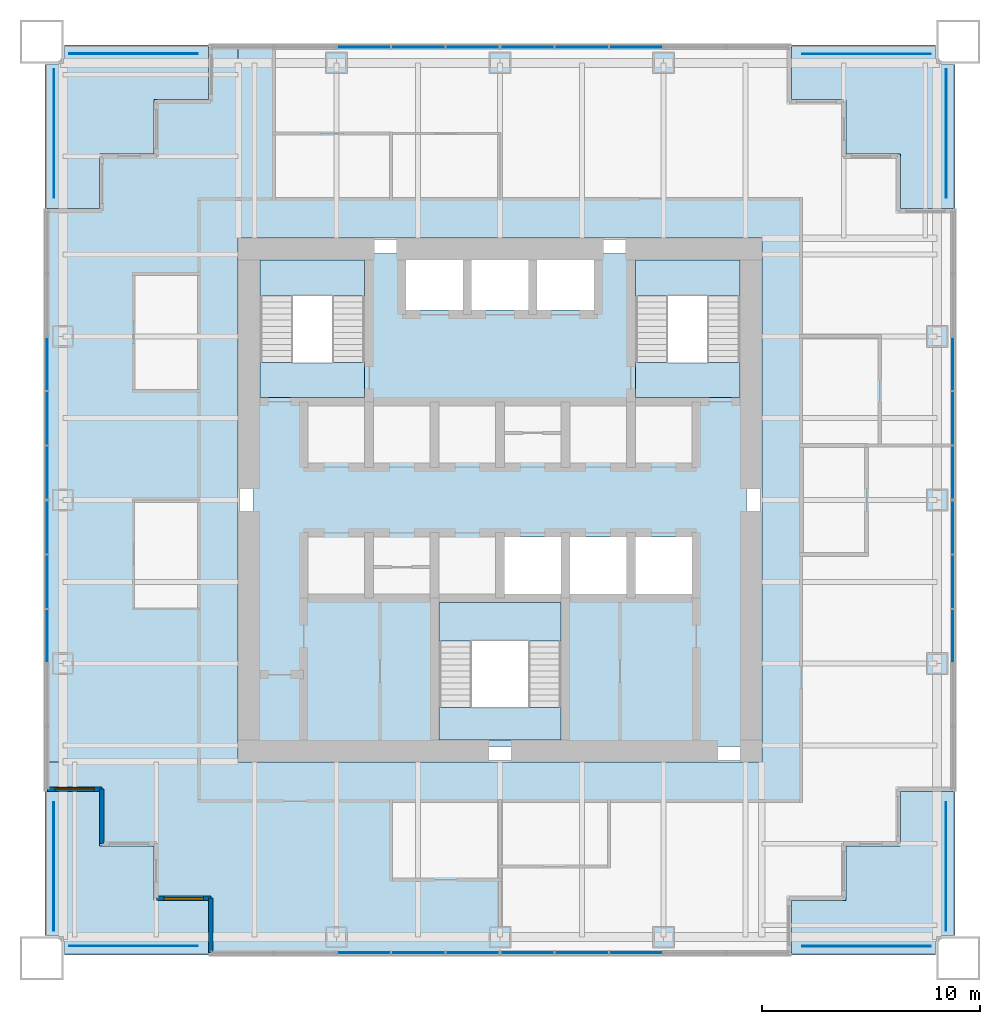
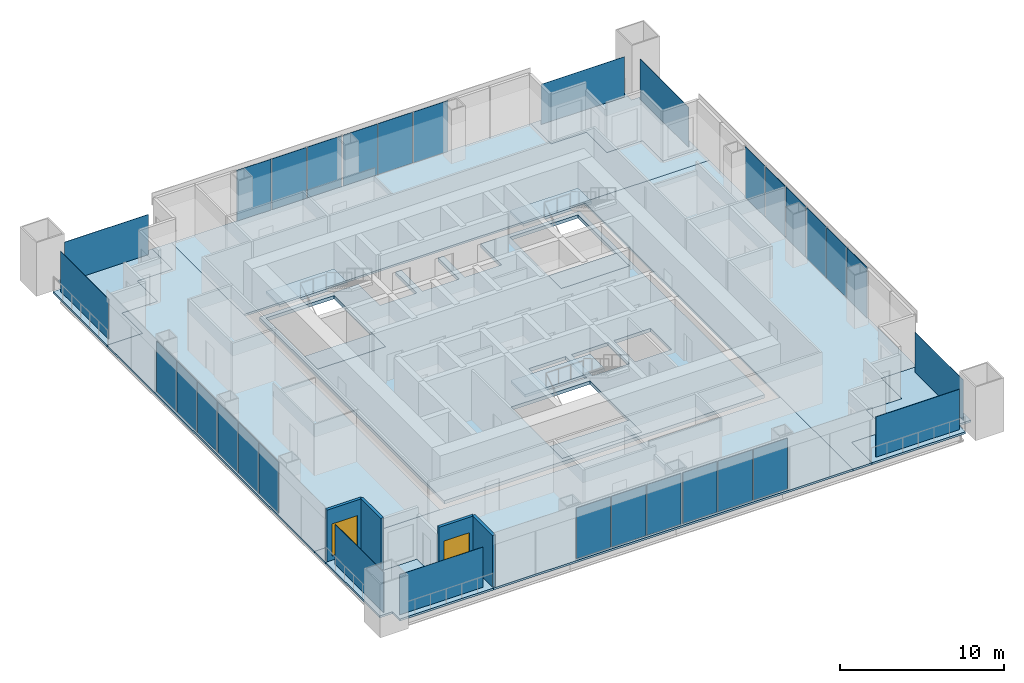
# One storey, part 8 of 14: 32 plates, 15 slabs, 4 walls, 2 windows, 2 openings, 11 elements without a shape of their own.
"""IFC4 building model written with IfcOpenShell, lengths in metres."""

from ifc_helpers import new_model, si_unit, direction, frame, frame_2d, origin, origin_2d, place, context, subcontext, project, spatial, polyline, rectangle, outline, extrude, material, layer, layer_set, type_object, element, fill, aggregate, save


model = new_model("IFC4")

# Units and contexts
model_context = context("Model", 3, precision=1e-05, world=origin(), true_north=direction((0.0, 1.0)))
body_context = subcontext(model_context, "Body", "Model", "MODEL_VIEW")
ifc_project = project(units=[si_unit("LENGTHUNIT", "METRE"), si_unit("AREAUNIT", "SQUARE_METRE"), si_unit("VOLUMEUNIT", "CUBIC_METRE"), si_unit("PLANEANGLEUNIT", "RADIAN"), si_unit("MASSUNIT", "GRAM", prefix="KILO")], contexts=[model_context])

# Site, building, storey
site_placement = place(None, origin())
site = spatial("IfcSite", under=ifc_project, at=site_placement, CompositionType="ELEMENT")
building_placement = place(site_placement, origin())
building = spatial("IfcBuilding", under=site, at=building_placement, Name="Tarangal Relay Tower", CompositionType="ELEMENT")
storey_placement = place(building_placement, frame((0.0, 0.0, 267.89990234375)))
storey = spatial("IfcBuildingStorey", under=building, at=storey_placement, Name="L58", CompositionType="ELEMENT", Elevation=267.89990234375)

# Slabs
ifc_material_1 = material(Name="Concrete fc' 35 MPa", Category="concrete")
ifc_layer_1 = layer(ifc_material_1, 0.25)
ifc_layer_set_1 = layer_set([ifc_layer_1], Name="Core floor slab 250")
slab_type_1 = type_object("IfcSlabType", Name="Core floor slab 250", PredefinedType="FLOOR", material=ifc_layer_set_1)
slab_1_placement = place(storey_placement, frame((0.0, 0.0, -0.25)))
element("IfcSlab", 1, at=slab_1_placement, inside=storey, type_object=slab_type_1, Name="Core floor slab L58", PredefinedType="FLOOR", context=body_context, shape_type="SweptSolid", body=[
    extrude(outline(polyline([(11.300048828125, 11.300048828125), (11.300048828125, -11.300048828125), (-11.300048828125, -11.300048828125), (-11.300048828125, 11.300048828125), (-4.300048828125, 11.300048828125), (-4.300048828125, 8.699951171875), (-1.699951171875, 8.699951171875), (-1.699951171875, 11.300048828125), (-1.300048828125, 11.300048828125), (-1.300048828125, 8.699951171875), (1.300048828125, 8.699951171875), (1.300048828125, 11.300048828125), (1.699951171875, 11.300048828125), (1.699951171875, 8.699951171875), (4.300048828125, 8.699951171875), (4.300048828125, 11.300048828125), (11.300048828125, 11.300048828125)]), holes=[polyline([(2.800048828125, -4.699951171875), (-2.800048828125, -4.699951171875), (-2.800048828125, -11.0), (2.800048828125, -11.0), (2.800048828125, -4.699951171875)]), polyline([(2.800048828125, -1.699951171875), (0.199951171875, -1.699951171875), (0.199951171875, -4.300048828125), (2.800048828125, -4.300048828125), (2.800048828125, -1.699951171875)]), polyline([(5.800048828125, -1.699951171875), (3.199951171875, -1.699951171875), (3.199951171875, -4.300048828125), (5.800048828125, -4.300048828125), (5.800048828125, -1.699951171875)]), polyline([(8.800048828125, -1.699951171875), (6.199951171875, -1.699951171875), (6.199951171875, -4.300048828125), (8.800048828125, -4.300048828125), (8.800048828125, -1.699951171875)]), polyline([(-6.199951171875, 11.0), (-11.0, 11.0), (-11.0, 4.699951171875), (-6.199951171875, 4.699951171875), (-6.199951171875, 11.0)]), polyline([(11.0, 11.0), (6.199951171875, 11.0), (6.199951171875, 4.699951171875), (11.0, 4.699951171875), (11.0, 11.0)])]), origin(), (0.0, 0.0, 1.0), 0.25),
])
ifc_layer_2 = layer(ifc_material_1, 0.14990234375)
ifc_layer_set_2 = layer_set([ifc_layer_2], Name="Floor slab 150")
slab_type_2 = type_object("IfcSlabType", Name="Floor slab 150", PredefinedType="FLOOR", material=ifc_layer_set_2)
slab_2_placement = place(storey_placement, frame((0.0, 0.0, -0.14990234375)))
element("IfcSlab", 2, at=slab_2_placement, inside=storey, type_object=slab_type_2, Name="Floor slab FS3 L58 north bay", PredefinedType="FLOOR", context=body_context, shape_type="SweptSolid", body=[
    extrude(outline(polyline([(13.35009765625, 20.85009765625), (13.35009765625, 18.35009765625), (15.85009765625, 18.35009765625), (15.85009765625, 15.85009765625), (18.35009765625, 15.85009765625), (18.35009765625, 13.35009765625), (20.85009765625, 13.35009765625), (20.85009765625, 12.0), (-12.0, 12.0), (-12.0, 20.85009765625), (13.35009765625, 20.85009765625)])), origin(), (0.0, 0.0, 1.0), 0.14990234375),
])
slab_3_placement = place(storey_placement, frame((0.0, 0.0, -0.14990234375)))
element("IfcSlab", 3, at=slab_3_placement, inside=storey, type_object=slab_type_2, Name="Floor slab FS3 L58 east bay", PredefinedType="FLOOR", context=body_context, shape_type="SweptSolid", body=[
    extrude(outline(polyline([(20.85009765625, -13.35009765625), (18.35009765625, -13.35009765625), (18.35009765625, -15.85009765625), (15.85009765625, -15.85009765625), (15.85009765625, -18.35009765625), (13.35009765625, -18.35009765625), (13.35009765625, -20.85009765625), (12.0, -20.85009765625), (12.0, 12.0), (20.85009765625, 12.0), (20.85009765625, -13.35009765625)])), origin(), (0.0, 0.0, 1.0), 0.14990234375),
])
slab_4_placement = place(storey_placement, frame((0.0, 0.0, -0.14990234375)))
element("IfcSlab", 4, at=slab_4_placement, inside=storey, type_object=slab_type_2, Name="Floor slab FS3 L58 south bay", PredefinedType="FLOOR", context=body_context, shape_type="SweptSolid", body=[
    extrude(outline(polyline([(-13.35009765625, -20.85009765625), (-13.35009765625, -18.35009765625), (-15.85009765625, -18.35009765625), (-15.85009765625, -15.85009765625), (-18.35009765625, -15.85009765625), (-18.35009765625, -13.35009765625), (-20.85009765625, -13.35009765625), (-20.85009765625, -12.0), (12.0, -12.0), (12.0, -20.85009765625), (-13.35009765625, -20.85009765625)])), origin(), (0.0, 0.0, 1.0), 0.14990234375),
])
slab_5_placement = place(storey_placement, frame((0.0, 0.0, -0.14990234375)))
element("IfcSlab", 5, at=slab_5_placement, inside=storey, type_object=slab_type_2, Name="Floor slab FS3 L58 west bay", PredefinedType="FLOOR", context=body_context, shape_type="SweptSolid", body=[
    extrude(outline(polyline([(-12.0, 20.85009765625), (-12.0, -12.0), (-20.85009765625, -12.0), (-20.85009765625, 13.35009765625), (-18.35009765625, 13.35009765625), (-18.35009765625, 15.85009765625), (-15.85009765625, 15.85009765625), (-15.85009765625, 18.35009765625), (-13.35009765625, 18.35009765625), (-13.35009765625, 20.85009765625), (-12.0, 20.85009765625)])), origin(), (0.0, 0.0, 1.0), 0.14990234375),
])

# Curtain wall, plates
ifc_material_2 = material(Name="Unitised curtain wall, dark glass and black aluminium", Category="aluminium")
curtain_wall_type = type_object("IfcCurtainWallType", Name="Curtain wall CW-B", PredefinedType="USERDEFINED", material=ifc_material_2)
curtain_wall_1_placement = place(storey_placement, origin())
curtain_wall_1 = element("IfcCurtainWall", 6, at=curtain_wall_1_placement, inside=storey, type_object=curtain_wall_type, Name="Curtain wall CW-B N facade L58", ObjectType="UNITISED CURTAIN WALL", PredefinedType="USERDEFINED")
ifc_material_3 = material(Name="Dark tinted insulated glass unit", Category="glass")
ifc_layer_3 = layer(ifc_material_3, 0.030029296875)
ifc_layer_set_3 = layer_set([ifc_layer_3], Name="Glazed panel CW-B 30")
plate_type_1 = type_object("IfcPlateType", Name="Glazed panel CW-B 30", PredefinedType="CURTAIN_PANEL", material=ifc_layer_set_3)
plate_1_placement = place(storey_placement, frame((-6.235107421875, 20.75, 0.06005859375), z_axis=(0.0, 0.0, 1.0), x_axis=(1.0, 0.0, 0.0)))
plate_1 = element("IfcPlate", 7, at=plate_1_placement, type_object=plate_type_1, Name="CW-B panel 1.1", PredefinedType="CURTAIN_PANEL", context=body_context, shape_type="SweptSolid", body=[
    extrude(rectangle(XDim=2.409912109375, YDim=0.030029296875, at=origin_2d()), origin(), (0.0, 0.0, 1.0), 3.7900390625),
])
plate_2_placement = place(storey_placement, frame((-3.75, 20.75, 0.06005859375), z_axis=(0.0, 0.0, 1.0), x_axis=(1.0, 0.0, 0.0)))
plate_2 = element("IfcPlate", 8, at=plate_2_placement, type_object=plate_type_1, Name="CW-B panel 2.1", PredefinedType="CURTAIN_PANEL", context=body_context, shape_type="SweptSolid", body=[
    extrude(rectangle(XDim=2.43994140625, YDim=0.030029296875, at=origin_2d()), origin(), (0.0, 0.0, 1.0), 3.7900390625),
])
plate_3_placement = place(storey_placement, frame((-1.264892578125, 20.75, 0.06005859375), z_axis=(0.0, 0.0, 1.0), x_axis=(1.0, 0.0, 0.0)))
plate_3 = element("IfcPlate", 9, at=plate_3_placement, type_object=plate_type_1, Name="CW-B panel 3.1", PredefinedType="CURTAIN_PANEL", context=body_context, shape_type="SweptSolid", body=[
    extrude(rectangle(XDim=2.409912109375, YDim=0.030029296875, at=origin_2d()), origin(), (0.0, 0.0, 1.0), 3.7900390625),
])
aggregate(curtain_wall_1, [plate_1, plate_2, plate_3])

curtain_wall_2_placement = place(storey_placement, origin())
curtain_wall_2 = element("IfcCurtainWall", 10, at=curtain_wall_2_placement, inside=storey, type_object=curtain_wall_type, Name="Curtain wall CW-B N facade L58", ObjectType="UNITISED CURTAIN WALL", PredefinedType="USERDEFINED")
plate_4_placement = place(storey_placement, frame((1.264892578125, 20.75, 0.06005859375), z_axis=(0.0, 0.0, 1.0), x_axis=(1.0, 0.0, 0.0)))
plate_4 = element("IfcPlate", 11, at=plate_4_placement, type_object=plate_type_1, Name="CW-B panel 1.1", PredefinedType="CURTAIN_PANEL", context=body_context, shape_type="SweptSolid", body=[
    extrude(rectangle(XDim=2.409912109375, YDim=0.030029296875, at=origin_2d()), origin(), (0.0, 0.0, 1.0), 3.7900390625),
])
plate_5_placement = place(storey_placement, frame((3.75, 20.75, 0.06005859375), z_axis=(0.0, 0.0, 1.0), x_axis=(1.0, 0.0, 0.0)))
plate_5 = element("IfcPlate", 12, at=plate_5_placement, type_object=plate_type_1, Name="CW-B panel 2.1", PredefinedType="CURTAIN_PANEL", context=body_context, shape_type="SweptSolid", body=[
    extrude(rectangle(XDim=2.43994140625, YDim=0.030029296875, at=origin_2d()), origin(), (0.0, 0.0, 1.0), 3.7900390625),
])
plate_6_placement = place(storey_placement, frame((6.235107421875, 20.75, 0.06005859375), z_axis=(0.0, 0.0, 1.0), x_axis=(1.0, 0.0, 0.0)))
plate_6 = element("IfcPlate", 13, at=plate_6_placement, type_object=plate_type_1, Name="CW-B panel 3.1", PredefinedType="CURTAIN_PANEL", context=body_context, shape_type="SweptSolid", body=[
    extrude(rectangle(XDim=2.409912109375, YDim=0.030029296875, at=origin_2d()), origin(), (0.0, 0.0, 1.0), 3.7900390625),
])
aggregate(curtain_wall_2, [plate_4, plate_5, plate_6])

curtain_wall_3_placement = place(storey_placement, origin())
curtain_wall_3 = element("IfcCurtainWall", 14, at=curtain_wall_3_placement, inside=storey, type_object=curtain_wall_type, Name="Curtain wall CW-B E facade L58", ObjectType="UNITISED CURTAIN WALL", PredefinedType="USERDEFINED")
plate_7_placement = place(storey_placement, frame((20.75, 6.235107421875, 0.06005859375), z_axis=(0.0, 0.0, 1.0), x_axis=(0.0, -1.0, 0.0)))
plate_7 = element("IfcPlate", 15, at=plate_7_placement, type_object=plate_type_1, Name="CW-B panel 1.1", PredefinedType="CURTAIN_PANEL", context=body_context, shape_type="SweptSolid", body=[
    extrude(rectangle(XDim=2.409912109375, YDim=0.030029296875, at=origin_2d()), origin(), (0.0, 0.0, 1.0), 3.7900390625),
])
plate_8_placement = place(storey_placement, frame((20.75, 3.75, 0.06005859375), z_axis=(0.0, 0.0, 1.0), x_axis=(0.0, -1.0, 0.0)))
plate_8 = element("IfcPlate", 16, at=plate_8_placement, type_object=plate_type_1, Name="CW-B panel 2.1", PredefinedType="CURTAIN_PANEL", context=body_context, shape_type="SweptSolid", body=[
    extrude(rectangle(XDim=2.43994140625, YDim=0.030029296875, at=origin_2d()), origin(), (0.0, 0.0, 1.0), 3.7900390625),
])
plate_9_placement = place(storey_placement, frame((20.75, 1.264892578125, 0.06005859375), z_axis=(0.0, 0.0, 1.0), x_axis=(0.0, -1.0, 0.0)))
plate_9 = element("IfcPlate", 17, at=plate_9_placement, type_object=plate_type_1, Name="CW-B panel 3.1", PredefinedType="CURTAIN_PANEL", context=body_context, shape_type="SweptSolid", body=[
    extrude(rectangle(XDim=2.409912109375, YDim=0.030029296875, at=origin_2d()), origin(), (0.0, 0.0, 1.0), 3.7900390625),
])
aggregate(curtain_wall_3, [plate_7, plate_8, plate_9])

curtain_wall_4_placement = place(storey_placement, origin())
curtain_wall_4 = element("IfcCurtainWall", 18, at=curtain_wall_4_placement, inside=storey, type_object=curtain_wall_type, Name="Curtain wall CW-B E facade L58", ObjectType="UNITISED CURTAIN WALL", PredefinedType="USERDEFINED")
plate_10_placement = place(storey_placement, frame((20.75, -1.264892578125, 0.06005859375), z_axis=(0.0, 0.0, 1.0), x_axis=(0.0, -1.0, 0.0)))
plate_10 = element("IfcPlate", 19, at=plate_10_placement, type_object=plate_type_1, Name="CW-B panel 1.1", PredefinedType="CURTAIN_PANEL", context=body_context, shape_type="SweptSolid", body=[
    extrude(rectangle(XDim=2.409912109375, YDim=0.030029296875, at=origin_2d()), origin(), (0.0, 0.0, 1.0), 3.7900390625),
])
plate_11_placement = place(storey_placement, frame((20.75, -3.75, 0.06005859375), z_axis=(0.0, 0.0, 1.0), x_axis=(0.0, -1.0, 0.0)))
plate_11 = element("IfcPlate", 20, at=plate_11_placement, type_object=plate_type_1, Name="CW-B panel 2.1", PredefinedType="CURTAIN_PANEL", context=body_context, shape_type="SweptSolid", body=[
    extrude(rectangle(XDim=2.43994140625, YDim=0.030029296875, at=origin_2d()), origin(), (0.0, 0.0, 1.0), 3.7900390625),
])
plate_12_placement = place(storey_placement, frame((20.75, -6.235107421875, 0.06005859375), z_axis=(0.0, 0.0, 1.0), x_axis=(0.0, -1.0, 0.0)))
plate_12 = element("IfcPlate", 21, at=plate_12_placement, type_object=plate_type_1, Name="CW-B panel 3.1", PredefinedType="CURTAIN_PANEL", context=body_context, shape_type="SweptSolid", body=[
    extrude(rectangle(XDim=2.409912109375, YDim=0.030029296875, at=origin_2d()), origin(), (0.0, 0.0, 1.0), 3.7900390625),
])
aggregate(curtain_wall_4, [plate_10, plate_11, plate_12])

curtain_wall_5_placement = place(storey_placement, origin())
curtain_wall_5 = element("IfcCurtainWall", 22, at=curtain_wall_5_placement, inside=storey, type_object=curtain_wall_type, Name="Curtain wall CW-B S facade L58", ObjectType="UNITISED CURTAIN WALL", PredefinedType="USERDEFINED")
plate_13_placement = place(storey_placement, frame((6.235107421875, -20.75, 0.06005859375), z_axis=(0.0, 0.0, 1.0), x_axis=(-1.0, 0.0, 0.0)))
plate_13 = element("IfcPlate", 23, at=plate_13_placement, type_object=plate_type_1, Name="CW-B panel 1.1", PredefinedType="CURTAIN_PANEL", context=body_context, shape_type="SweptSolid", body=[
    extrude(rectangle(XDim=2.409912109375, YDim=0.030029296875, at=origin_2d()), origin(), (0.0, 0.0, 1.0), 3.7900390625),
])
plate_14_placement = place(storey_placement, frame((3.75, -20.75, 0.06005859375), z_axis=(0.0, 0.0, 1.0), x_axis=(-1.0, 0.0, 0.0)))
plate_14 = element("IfcPlate", 24, at=plate_14_placement, type_object=plate_type_1, Name="CW-B panel 2.1", PredefinedType="CURTAIN_PANEL", context=body_context, shape_type="SweptSolid", body=[
    extrude(rectangle(XDim=2.43994140625, YDim=0.030029296875, at=origin_2d()), origin(), (0.0, 0.0, 1.0), 3.7900390625),
])
plate_15_placement = place(storey_placement, frame((1.264892578125, -20.75, 0.06005859375), z_axis=(0.0, 0.0, 1.0), x_axis=(-1.0, 0.0, 0.0)))
plate_15 = element("IfcPlate", 25, at=plate_15_placement, type_object=plate_type_1, Name="CW-B panel 3.1", PredefinedType="CURTAIN_PANEL", context=body_context, shape_type="SweptSolid", body=[
    extrude(rectangle(XDim=2.409912109375, YDim=0.030029296875, at=origin_2d()), origin(), (0.0, 0.0, 1.0), 3.7900390625),
])
aggregate(curtain_wall_5, [plate_13, plate_14, plate_15])

curtain_wall_6_placement = place(storey_placement, origin())
curtain_wall_6 = element("IfcCurtainWall", 26, at=curtain_wall_6_placement, inside=storey, type_object=curtain_wall_type, Name="Curtain wall CW-B S facade L58", ObjectType="UNITISED CURTAIN WALL", PredefinedType="USERDEFINED")
plate_16_placement = place(storey_placement, frame((-1.264892578125, -20.75, 0.06005859375), z_axis=(0.0, 0.0, 1.0), x_axis=(-1.0, 0.0, 0.0)))
plate_16 = element("IfcPlate", 27, at=plate_16_placement, type_object=plate_type_1, Name="CW-B panel 1.1", PredefinedType="CURTAIN_PANEL", context=body_context, shape_type="SweptSolid", body=[
    extrude(rectangle(XDim=2.409912109375, YDim=0.030029296875, at=origin_2d()), origin(), (0.0, 0.0, 1.0), 3.7900390625),
])
plate_17_placement = place(storey_placement, frame((-3.75, -20.75, 0.06005859375), z_axis=(0.0, 0.0, 1.0), x_axis=(-1.0, 0.0, 0.0)))
plate_17 = element("IfcPlate", 28, at=plate_17_placement, type_object=plate_type_1, Name="CW-B panel 2.1", PredefinedType="CURTAIN_PANEL", context=body_context, shape_type="SweptSolid", body=[
    extrude(rectangle(XDim=2.43994140625, YDim=0.030029296875, at=origin_2d()), origin(), (0.0, 0.0, 1.0), 3.7900390625),
])
plate_18_placement = place(storey_placement, frame((-6.235107421875, -20.75, 0.06005859375), z_axis=(0.0, 0.0, 1.0), x_axis=(-1.0, 0.0, 0.0)))
plate_18 = element("IfcPlate", 29, at=plate_18_placement, type_object=plate_type_1, Name="CW-B panel 3.1", PredefinedType="CURTAIN_PANEL", context=body_context, shape_type="SweptSolid", body=[
    extrude(rectangle(XDim=2.409912109375, YDim=0.030029296875, at=origin_2d()), origin(), (0.0, 0.0, 1.0), 3.7900390625),
])
aggregate(curtain_wall_6, [plate_16, plate_17, plate_18])

curtain_wall_7_placement = place(storey_placement, origin())
curtain_wall_7 = element("IfcCurtainWall", 30, at=curtain_wall_7_placement, inside=storey, type_object=curtain_wall_type, Name="Curtain wall CW-B W facade L58", ObjectType="UNITISED CURTAIN WALL", PredefinedType="USERDEFINED")
plate_19_placement = place(storey_placement, frame((-20.75, -6.235107421875, 0.06005859375), z_axis=(0.0, 0.0, 1.0), x_axis=(0.0, 1.0, 0.0)))
plate_19 = element("IfcPlate", 31, at=plate_19_placement, type_object=plate_type_1, Name="CW-B panel 1.1", PredefinedType="CURTAIN_PANEL", context=body_context, shape_type="SweptSolid", body=[
    extrude(rectangle(XDim=2.409912109375, YDim=0.030029296875, at=origin_2d()), origin(), (0.0, 0.0, 1.0), 3.7900390625),
])
plate_20_placement = place(storey_placement, frame((-20.75, -3.75, 0.06005859375), z_axis=(0.0, 0.0, 1.0), x_axis=(0.0, 1.0, 0.0)))
plate_20 = element("IfcPlate", 32, at=plate_20_placement, type_object=plate_type_1, Name="CW-B panel 2.1", PredefinedType="CURTAIN_PANEL", context=body_context, shape_type="SweptSolid", body=[
    extrude(rectangle(XDim=2.43994140625, YDim=0.030029296875, at=origin_2d()), origin(), (0.0, 0.0, 1.0), 3.7900390625),
])
plate_21_placement = place(storey_placement, frame((-20.75, -1.264892578125, 0.06005859375), z_axis=(0.0, 0.0, 1.0), x_axis=(0.0, 1.0, 0.0)))
plate_21 = element("IfcPlate", 33, at=plate_21_placement, type_object=plate_type_1, Name="CW-B panel 3.1", PredefinedType="CURTAIN_PANEL", context=body_context, shape_type="SweptSolid", body=[
    extrude(rectangle(XDim=2.409912109375, YDim=0.030029296875, at=origin_2d()), origin(), (0.0, 0.0, 1.0), 3.7900390625),
])
aggregate(curtain_wall_7, [plate_19, plate_20, plate_21])

curtain_wall_8_placement = place(storey_placement, origin())
curtain_wall_8 = element("IfcCurtainWall", 34, at=curtain_wall_8_placement, inside=storey, type_object=curtain_wall_type, Name="Curtain wall CW-B W facade L58", ObjectType="UNITISED CURTAIN WALL", PredefinedType="USERDEFINED")
plate_22_placement = place(storey_placement, frame((-20.75, 1.264892578125, 0.06005859375), z_axis=(0.0, 0.0, 1.0), x_axis=(0.0, 1.0, 0.0)))
plate_22 = element("IfcPlate", 35, at=plate_22_placement, type_object=plate_type_1, Name="CW-B panel 1.1", PredefinedType="CURTAIN_PANEL", context=body_context, shape_type="SweptSolid", body=[
    extrude(rectangle(XDim=2.409912109375, YDim=0.030029296875, at=origin_2d()), origin(), (0.0, 0.0, 1.0), 3.7900390625),
])
plate_23_placement = place(storey_placement, frame((-20.75, 3.75, 0.06005859375), z_axis=(0.0, 0.0, 1.0), x_axis=(0.0, 1.0, 0.0)))
plate_23 = element("IfcPlate", 36, at=plate_23_placement, type_object=plate_type_1, Name="CW-B panel 2.1", PredefinedType="CURTAIN_PANEL", context=body_context, shape_type="SweptSolid", body=[
    extrude(rectangle(XDim=2.43994140625, YDim=0.030029296875, at=origin_2d()), origin(), (0.0, 0.0, 1.0), 3.7900390625),
])
plate_24_placement = place(storey_placement, frame((-20.75, 6.235107421875, 0.06005859375), z_axis=(0.0, 0.0, 1.0), x_axis=(0.0, 1.0, 0.0)))
plate_24 = element("IfcPlate", 37, at=plate_24_placement, type_object=plate_type_1, Name="CW-B panel 3.1", PredefinedType="CURTAIN_PANEL", context=body_context, shape_type="SweptSolid", body=[
    extrude(rectangle(XDim=2.409912109375, YDim=0.030029296875, at=origin_2d()), origin(), (0.0, 0.0, 1.0), 3.7900390625),
])
aggregate(curtain_wall_8, [plate_22, plate_23, plate_24])

# Plates
ifc_material_4 = material(Name="Black stainless steel cable trellis with climbing planting", Category="steel")
ifc_layer_4 = layer(ifc_material_4, 0.030029296875)
ifc_layer_set_4 = layer_set([ifc_layer_4], Name="Planted trellis screen")
plate_type_2 = type_object("IfcPlateType", Name="Planted trellis screen", PredefinedType="SHEET", material=ifc_layer_set_4)
for number, where, z_axis, x_axis, name in (
    (38, (20.449951171875, 16.800048828125, 0.0), (0.0, 0.0, 1.0), (0.0, -1.0, 0.0), "Planted trellis SC2 NE L58"),
    (39, (16.800048828125, -20.449951171875, 0.0), (0.0, 0.0, 1.0), (-1.0, 0.0, 0.0), "Planted trellis SC2 SE L58"),
    (40, (-20.449951171875, -16.800048828125, 0.0), (0.0, 0.0, 1.0), (0.0, 1.0, 0.0), "Planted trellis SC2 SW L58"),
    (41, (-16.800048828125, 20.449951171875, 0.0), (0.0, 0.0, 1.0), (1.0, 0.0, 0.0), "Planted trellis SC2 NW L58"),
):
    element("IfcPlate", number, at=place(storey_placement, frame(where, z_axis=z_axis, x_axis=x_axis)), inside=storey, type_object=plate_type_2, Name=name, PredefinedType="SHEET", context=body_context, shape_type="SweptSolid", body=[
        extrude(rectangle(XDim=5.89990234375, YDim=0.030029296875, at=origin_2d()), origin(), (0.0, 0.0, 1.0), 3.0),
    ])

# Stair, slabs
ifc_material_5 = material(Name="Steel ASTM A992 stair flight", Category="steel")
stair_type = type_object("IfcStairType", Name="Core stair 1500", PredefinedType="HALF_TURN_STAIR", material=ifc_material_5)
stair_1_placement = place(storey_placement, origin())
stair_1 = element("IfcStair", 42, at=stair_1_placement, inside=storey, type_object=stair_type, Name="Stair ST-A L58", PredefinedType="HALF_TURN_STAIR")
ifc_layer_5 = layer(ifc_material_1, 0.199951171875)
ifc_layer_set_5 = layer_set([ifc_layer_5], Name="Stair landing 200")
slab_type_3 = type_object("IfcSlabType", Name="Stair landing 200", PredefinedType="LANDING", material=ifc_layer_set_5)
slab_6_placement = place(storey_placement, frame((0.0, 0.0, -0.199951171875)))
slab_6 = element("IfcSlab", 43, at=slab_6_placement, type_object=slab_type_3, Name="ST-A landing 1", PredefinedType="LANDING", context=body_context, shape_type="SweptSolid", body=[
    extrude(outline(polyline([(-11.0, 4.699951171875), (-6.199951171875, 4.699951171875), (-6.199951171875, 6.300048828125), (-11.0, 6.300048828125), (-11.0, 4.699951171875)])), origin(), (0.0, 0.0, 1.0), 0.199951171875),
])
slab_7_placement = place(storey_placement, frame((0.0, 0.0, 1.800048828125)))
slab_7 = element("IfcSlab", 44, at=slab_7_placement, type_object=slab_type_3, Name="ST-A landing 2", PredefinedType="LANDING", context=body_context, shape_type="SweptSolid", body=[
    extrude(outline(polyline([(-11.0, 9.346923828125), (-6.199951171875, 9.346923828125), (-6.199951171875, 11.0), (-11.0, 11.0), (-11.0, 9.346923828125)])), origin(), (0.0, 0.0, 1.0), 0.199951171875),
])
aggregate(stair_1, [slab_6, slab_7])

stair_2_placement = place(storey_placement, origin())
stair_2 = element("IfcStair", 45, at=stair_2_placement, inside=storey, type_object=stair_type, Name="Stair ST-B L58", PredefinedType="HALF_TURN_STAIR")
slab_8_placement = place(storey_placement, frame((0.0, 0.0, -0.199951171875)))
slab_8 = element("IfcSlab", 46, at=slab_8_placement, type_object=slab_type_3, Name="ST-B landing 1", PredefinedType="LANDING", context=body_context, shape_type="SweptSolid", body=[
    extrude(outline(polyline([(6.199951171875, 4.699951171875), (11.0, 4.699951171875), (11.0, 6.300048828125), (6.199951171875, 6.300048828125), (6.199951171875, 4.699951171875)])), origin(), (0.0, 0.0, 1.0), 0.199951171875),
])
slab_9_placement = place(storey_placement, frame((0.0, 0.0, 1.800048828125)))
slab_9 = element("IfcSlab", 47, at=slab_9_placement, type_object=slab_type_3, Name="ST-B landing 2", PredefinedType="LANDING", context=body_context, shape_type="SweptSolid", body=[
    extrude(outline(polyline([(6.199951171875, 9.346923828125), (11.0, 9.346923828125), (11.0, 11.0), (6.199951171875, 11.0), (6.199951171875, 9.346923828125)])), origin(), (0.0, 0.0, 1.0), 0.199951171875),
])
aggregate(stair_2, [slab_8, slab_9])

stair_3_placement = place(storey_placement, origin())
stair_3 = element("IfcStair", 48, at=stair_3_placement, inside=storey, type_object=stair_type, Name="Stair ST-C L58", PredefinedType="HALF_TURN_STAIR")
slab_10_placement = place(storey_placement, frame((0.0, 0.0, -0.199951171875)))
slab_10 = element("IfcSlab", 49, at=slab_10_placement, type_object=slab_type_3, Name="ST-C landing 1", PredefinedType="LANDING", context=body_context, shape_type="SweptSolid", body=[
    extrude(outline(polyline([(-2.800048828125, -11.0), (2.800048828125, -11.0), (2.800048828125, -9.5), (-2.800048828125, -9.5), (-2.800048828125, -11.0)])), origin(), (0.0, 0.0, 1.0), 0.199951171875),
])
slab_11_placement = place(storey_placement, frame((0.0, 0.0, 1.800048828125)))
slab_11 = element("IfcSlab", 50, at=slab_11_placement, type_object=slab_type_3, Name="ST-C landing 2", PredefinedType="LANDING", context=body_context, shape_type="SweptSolid", body=[
    extrude(outline(polyline([(-2.800048828125, -6.452880859375), (2.800048828125, -6.452880859375), (2.800048828125, -4.699951171875), (-2.800048828125, -4.699951171875), (-2.800048828125, -6.452880859375)])), origin(), (0.0, 0.0, 1.0), 0.199951171875),
])
aggregate(stair_3, [slab_10, slab_11])

# Plates
ifc_material_6 = material(Name="Perforated black aluminium screen", Category="aluminium")
ifc_layer_6 = layer(ifc_material_6, 0.02001953125)
ifc_layer_set_6 = layer_set([ifc_layer_6], Name="Terrace screen panel")
plate_type_3 = type_object("IfcPlateType", Name="Terrace screen panel", PredefinedType="SHEET", material=ifc_layer_set_6)
for number, where, z_axis, x_axis, name in (
    (51, (16.800048828125, 20.449951171875, 0.0), (0.0, 0.0, 1.0), (1.0, 0.0, 0.0), "Terrace screen SC1 NE L58"),
    (52, (20.449951171875, -16.800048828125, 0.0), (0.0, 0.0, 1.0), (0.0, -1.0, 0.0), "Terrace screen SC1 SE L58"),
    (53, (-16.800048828125, -20.449951171875, 0.0), (0.0, 0.0, 1.0), (-1.0, 0.0, 0.0), "Terrace screen SC1 SW L58"),
    (54, (-20.449951171875, 16.800048828125, 0.0), (0.0, 0.0, 1.0), (0.0, 1.0, 0.0), "Terrace screen SC1 NW L58"),
):
    element("IfcPlate", number, at=place(storey_placement, frame(where, z_axis=z_axis, x_axis=x_axis)), inside=storey, type_object=plate_type_3, Name=name, PredefinedType="SHEET", context=body_context, shape_type="SweptSolid", body=[
        extrude(rectangle(XDim=5.89990234375, YDim=0.02001953125, at=origin_2d()), origin(), (0.0, 0.0, 1.0), 3.0),
    ])

# Slabs
ifc_layer_7 = layer(ifc_material_1, 0.14990234375)
ifc_layer_set_7 = layer_set([ifc_layer_7], Name="Terrace slab 150")
slab_type_4 = type_object("IfcSlabType", Name="Terrace slab 150", PredefinedType="FLOOR", material=ifc_layer_set_7)
slab_12_placement = place(storey_placement, frame((0.0, 0.0, -0.14990234375)))
element("IfcSlab", 55, at=slab_12_placement, inside=storey, type_object=slab_type_4, Name="Corner terrace NE L58", PredefinedType="FLOOR", context=body_context, shape_type="SweptSolid", body=[
    extrude(outline(polyline([(13.35009765625, 20.85009765625), (13.35009765625, 18.35009765625), (15.85009765625, 18.35009765625), (15.85009765625, 15.85009765625), (18.35009765625, 15.85009765625), (18.35009765625, 13.35009765625), (20.85009765625, 13.35009765625), (20.85009765625, 19.949951171875), (19.949951171875, 19.949951171875), (19.949951171875, 20.85009765625), (13.35009765625, 20.85009765625)])), origin(), (0.0, 0.0, 1.0), 0.14990234375),
])
slab_13_placement = place(storey_placement, frame((0.0, 0.0, -0.14990234375)))
element("IfcSlab", 56, at=slab_13_placement, inside=storey, type_object=slab_type_4, Name="Corner terrace SE L58", PredefinedType="FLOOR", context=body_context, shape_type="SweptSolid", body=[
    extrude(outline(polyline([(20.85009765625, -13.35009765625), (18.35009765625, -13.35009765625), (18.35009765625, -15.85009765625), (15.85009765625, -15.85009765625), (15.85009765625, -18.35009765625), (13.35009765625, -18.35009765625), (13.35009765625, -20.85009765625), (19.949951171875, -20.85009765625), (19.949951171875, -19.949951171875), (20.85009765625, -19.949951171875), (20.85009765625, -13.35009765625)])), origin(), (0.0, 0.0, 1.0), 0.14990234375),
])
slab_14_placement = place(storey_placement, frame((0.0, 0.0, -0.14990234375)))
element("IfcSlab", 57, at=slab_14_placement, inside=storey, type_object=slab_type_4, Name="Corner terrace SW L58", PredefinedType="FLOOR", context=body_context, shape_type="SweptSolid", body=[
    extrude(outline(polyline([(-13.35009765625, -20.85009765625), (-13.35009765625, -18.35009765625), (-15.85009765625, -18.35009765625), (-15.85009765625, -15.85009765625), (-18.35009765625, -15.85009765625), (-18.35009765625, -13.35009765625), (-20.85009765625, -13.35009765625), (-20.85009765625, -19.949951171875), (-19.949951171875, -19.949951171875), (-19.949951171875, -20.85009765625), (-13.35009765625, -20.85009765625)])), origin(), (0.0, 0.0, 1.0), 0.14990234375),
])
slab_15_placement = place(storey_placement, frame((0.0, 0.0, -0.14990234375)))
element("IfcSlab", 58, at=slab_15_placement, inside=storey, type_object=slab_type_4, Name="Corner terrace NW L58", PredefinedType="FLOOR", context=body_context, shape_type="SweptSolid", body=[
    extrude(outline(polyline([(-20.85009765625, 13.35009765625), (-18.35009765625, 13.35009765625), (-18.35009765625, 15.85009765625), (-15.85009765625, 15.85009765625), (-15.85009765625, 18.35009765625), (-13.35009765625, 18.35009765625), (-13.35009765625, 20.85009765625), (-19.949951171875, 20.85009765625), (-19.949951171875, 19.949951171875), (-20.85009765625, 19.949951171875), (-20.85009765625, 13.35009765625)])), origin(), (0.0, 0.0, 1.0), 0.14990234375),
])

# Wall
ifc_material_7 = material(Name="Black metal clad insulated wall", Category="steel")
ifc_layer_8 = layer(ifc_material_7, 0.199951171875)
ifc_layer_set_8 = layer_set([ifc_layer_8], Name="Corner wall metal clad 200")
wall_type = type_object("IfcWallType", Name="Corner wall metal clad 200", PredefinedType="SOLIDWALL", material=ifc_layer_set_8)
wall_1_placement = place(storey_placement, frame((-13.25, -20.75, 0.0), z_axis=(0.0, 0.0, 1.0), x_axis=(0.0, 1.0, 0.0)))
element("IfcWall", 59, at=wall_1_placement, inside=storey, type_object=wall_type, Name="Facade wall S facade L58", PredefinedType="SOLIDWALL", context=body_context, shape_type="SweptSolid", body=[
    extrude(rectangle(XDim=2.5, YDim=0.199951171875, at=frame_2d((1.25, 0.0))), origin(), (0.0, 0.0, 1.0), 3.85009765625),
])

# Wall, opening, window
wall_2_placement = place(storey_placement, frame((-13.25, -18.25, 0.0), z_axis=(0.0, 0.0, 1.0), x_axis=(-1.0, 0.0, 0.0)))
wall_2 = element("IfcWall", 60, at=wall_2_placement, inside=storey, type_object=wall_type, Name="Facade wall S facade L58", PredefinedType="SOLIDWALL", context=body_context, shape_type="SweptSolid", body=[
    extrude(rectangle(XDim=2.5, YDim=0.199951171875, at=frame_2d((1.25, 0.0))), origin(), (0.0, 0.0, 1.0), 3.85009765625),
])
opening_1_placement = place(wall_2_placement, frame((0.35009765625, 0.0, 0.300048828125)))
opening_1 = element("IfcOpeningElement", 61, at=opening_1_placement, cuts=wall_2, Name="Opening WN2", PredefinedType="OPENING", context=body_context, shape_type="SweptSolid", body=[
    extrude(rectangle(XDim=1.800048828125, YDim=2.39990234375, at=frame_2d((0.89990234375, 1.199951171875))), frame((0.0, 0.10986328125, 0.0), z_axis=(0.0, -1.0, 0.0), x_axis=(1.0, 0.0, 0.0)), (0.0, 0.0, 1.0), 0.219970703125),
])
ifc_material_8 = material(Name="Dark tinted double glazing in black aluminium frame", Category="aluminium")
window_type = type_object("IfcWindowType", Name="Corner window 1800 x 2400", PartitioningType="SINGLE_PANEL", PredefinedType="WINDOW", material=ifc_material_8)
window_1_placement = place(opening_1_placement, origin())
window_1 = element("IfcWindow", 62, at=window_1_placement, inside=storey, type_object=window_type, Name="Corner window WN2 S facade L58", OverallHeight=2.39990234375, OverallWidth=1.800048828125, PartitioningType="SINGLE_PANEL", PredefinedType="WINDOW", context=body_context, shape_type="SweptSolid", body=[
    extrude(rectangle(XDim=1.800048828125, YDim=2.39990234375, at=frame_2d((0.89990234375, 1.199951171875))), frame((0.0, 0.030029296875, 0.0), z_axis=(0.0, -1.0, 0.0), x_axis=(1.0, 0.0, 0.0)), (0.0, 0.0, 1.0), 0.06005859375),
])
fill(opening_1, window_1)

# Wall
wall_3_placement = place(storey_placement, frame((-18.25, -15.75, 0.0), z_axis=(0.0, 0.0, 1.0), x_axis=(0.0, 1.0, 0.0)))
element("IfcWall", 63, at=wall_3_placement, inside=storey, type_object=wall_type, Name="Facade wall S facade L58", PredefinedType="SOLIDWALL", context=body_context, shape_type="SweptSolid", body=[
    extrude(rectangle(XDim=2.5, YDim=0.199951171875, at=frame_2d((1.25, 0.0))), origin(), (0.0, 0.0, 1.0), 3.85009765625),
])

# Wall, opening, window
wall_4_placement = place(storey_placement, frame((-18.25, -13.25, 0.0), z_axis=(0.0, 0.0, 1.0), x_axis=(-1.0, 0.0, 0.0)))
wall_4 = element("IfcWall", 64, at=wall_4_placement, inside=storey, type_object=wall_type, Name="Facade wall S facade L58", PredefinedType="SOLIDWALL", context=body_context, shape_type="SweptSolid", body=[
    extrude(rectangle(XDim=2.5, YDim=0.199951171875, at=frame_2d((1.25, 0.0))), origin(), (0.0, 0.0, 1.0), 3.85009765625),
])
opening_2_placement = place(wall_4_placement, frame((0.35009765625, 0.0, 0.300048828125)))
opening_2 = element("IfcOpeningElement", 65, at=opening_2_placement, cuts=wall_4, Name="Opening WN2", PredefinedType="OPENING", context=body_context, shape_type="SweptSolid", body=[
    extrude(rectangle(XDim=1.800048828125, YDim=2.39990234375, at=frame_2d((0.89990234375, 1.199951171875))), frame((0.0, 0.10986328125, 0.0), z_axis=(0.0, -1.0, 0.0), x_axis=(1.0, 0.0, 0.0)), (0.0, 0.0, 1.0), 0.219970703125),
])
window_2_placement = place(opening_2_placement, origin())
window_2 = element("IfcWindow", 66, at=window_2_placement, inside=storey, type_object=window_type, Name="Corner window WN2 S facade L58", OverallHeight=2.39990234375, OverallWidth=1.800048828125, PartitioningType="SINGLE_PANEL", PredefinedType="WINDOW", context=body_context, shape_type="SweptSolid", body=[
    extrude(rectangle(XDim=1.800048828125, YDim=2.39990234375, at=frame_2d((0.89990234375, 1.199951171875))), frame((0.0, 0.030029296875, 0.0), z_axis=(0.0, -1.0, 0.0), x_axis=(1.0, 0.0, 0.0)), (0.0, 0.0, 1.0), 0.06005859375),
])
fill(opening_2, window_2)

save(model, "model.ifc")
